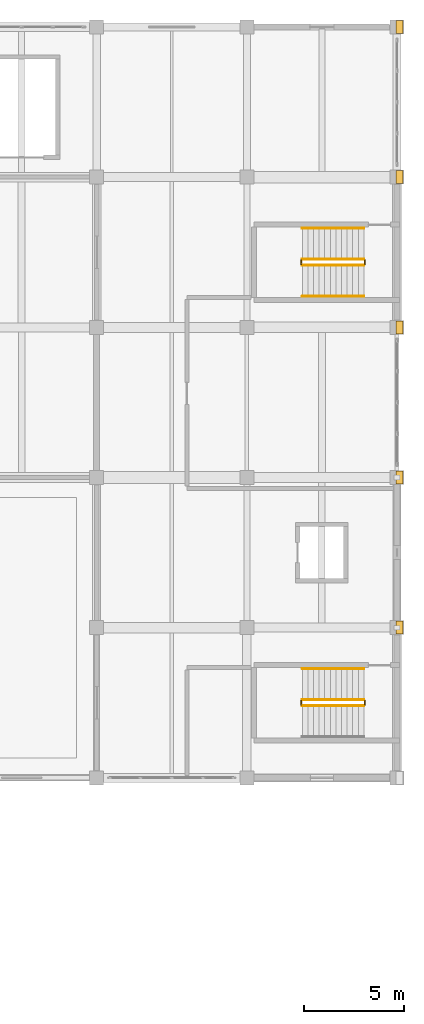
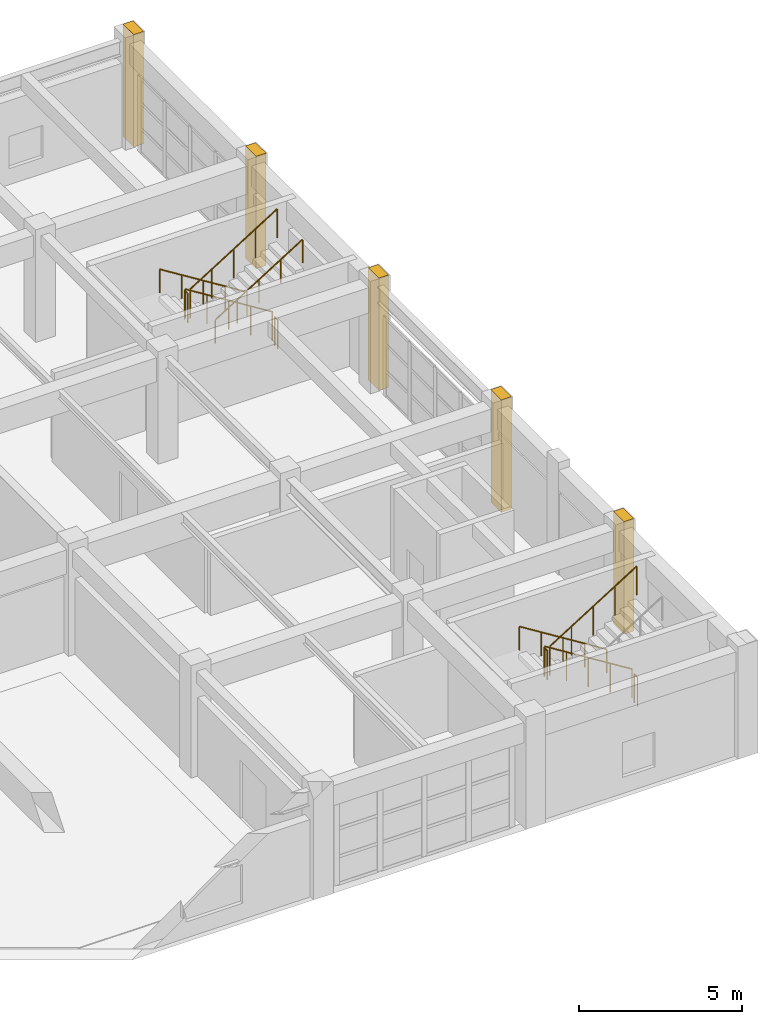
# One storey, part 132 of 132: 11 railings, 5 coverings.
"""IFC4 building model written with IfcOpenShell, lengths in metres."""

from ifc_helpers import new_model, si_unit, direction, frame, origin, origin_2d, place, context, subcontext, project, spatial, rectangle, circle, extrude, material, layer, layer_set, type_object, element, save


model = new_model("IFC4")

# Units and contexts
model_context = context("Model", 3, precision=1e-05, world=origin(), true_north=direction((0.0, 1.0)))
body_context = subcontext(model_context, "Body", "Model", "MODEL_VIEW")
ifc_project = project(units=[si_unit("LENGTHUNIT", "METRE"), si_unit("AREAUNIT", "SQUARE_METRE"), si_unit("VOLUMEUNIT", "CUBIC_METRE"), si_unit("PLANEANGLEUNIT", "RADIAN"), si_unit("MASSUNIT", "GRAM", prefix="KILO")], contexts=[model_context])

# Site, building, storey
site_placement = place(None, origin())
site = spatial("IfcSite", under=ifc_project, at=site_placement, CompositionType="ELEMENT")
building_placement = place(site_placement, origin())
building = spatial("IfcBuilding", under=site, at=building_placement, Name="Qasida Concert Hall", CompositionType="ELEMENT")
storey_placement = place(building_placement, frame((0.0, 0.0, 4.800048828125)))
storey = spatial("IfcBuildingStorey", under=building, at=storey_placement, Name="L01", CompositionType="ELEMENT", Elevation=4.800048828125)

# Coverings
ifc_material_1 = material(Name="Projecting fluted Lebanese limestone Art Deco pilaster", Category="masonry")
ifc_layer_1 = layer(ifc_material_1, 0.35009765625, Name="Projecting fluted Lebanese limestone Art Deco pilaster")
ifc_layer_set_1 = layer_set([ifc_layer_1], Name="Projecting fluted Lebanese limestone Art Deco pilaster")
covering_type = type_object("IfcCoveringType", Name="CV-PIL-650", PredefinedType="CLADDING", material=ifc_layer_set_1)
for number, where, z_axis, x_axis, name in (
    (1, (165.135009765625, 82.5, 0.0), (0.0, 0.0, 1.0), (1.0, 0.0, 0.0), "L01 fluted limestone pilaster 0241"),
    (2, (165.135009765625, 90.0, 0.0), (0.0, 0.0, 1.0), (1.0, 0.0, 0.0), "L01 fluted limestone pilaster 0246"),
    (3, (165.135009765625, 97.5, 0.0), (0.0, 0.0, 1.0), (1.0, 0.0, 0.0), "L01 fluted limestone pilaster 0251"),
    (4, (165.135009765625, 105.0, 0.0), (0.0, 0.0, 1.0), (1.0, 0.0, 0.0), "L01 fluted limestone pilaster 0256"),
    (5, (165.135009765625, 112.5, 0.0), (0.0, 0.0, 1.0), (1.0, 0.0, 0.0), "L01 fluted limestone pilaster 0261"),
):
    element("IfcCovering", number, at=place(storey_placement, frame(where, z_axis=z_axis, x_axis=x_axis)), inside=storey, type_object=covering_type, Name=name, PredefinedType="CLADDING", context=body_context, shape_type="SweptSolid", body=[
        extrude(rectangle(XDim=0.35009765625, YDim=0.64990234375, at=origin_2d()), origin(), (0.0, 0.0, 1.0), 4.199951171875),
    ])

# Railings
ifc_material_2 = material(Name="Patinated architectural bronze and laminated glass infill", Category="glass")
ifc_layer_2 = layer(ifc_material_2, 0.080078125, Name="Patinated architectural bronze and laminated glass infill")
ifc_layer_set_2 = layer_set([ifc_layer_2], Name="Patinated architectural bronze and laminated glass infill")
railing_type_1 = type_object("IfcRailingType", Name="RL-GRD-1100", PredefinedType="GUARDRAIL", material=ifc_layer_set_2)
railing_1_placement = place(storey_placement, frame((163.35009765625, 78.89990234375, 0.175048828125)))
element("IfcRailing", 6, at=railing_1_placement, inside=storey, type_object=railing_type_1, Name="L01 ST-07 stair guard 1", PredefinedType="GUARDRAIL", context=body_context, shape_type="SweptSolid", body=[
    extrude(circle(Radius=0.02392578125, at=origin_2d()), frame((0.0, 0.0, 1.076171875), z_axis=(-0.848028513186, 0.0, 0.529950602248), x_axis=(0.0, -1.0, 0.0)), (0.0, 0.0, 1.0), 3.632080078125),
    extrude(circle(Radius=0.02099609375, at=origin_2d()), origin(), (0.0, 0.0, 1.0), 1.052001953125),
    extrude(circle(Radius=0.02099609375, at=origin_2d()), frame((-0.77001953125, 0.0, 0.481201171875)), (0.0, 0.0, 1.0), 1.052001953125),
    extrude(circle(Radius=0.02099609375, at=origin_2d()), frame((-1.5400390625, 0.0, 0.96240234375)), (0.0, 0.0, 1.0), 1.052001953125),
    extrude(circle(Radius=0.02099609375, at=origin_2d()), frame((-2.31005859375, 0.0, 1.443603515625)), (0.0, 0.0, 1.0), 1.052001953125),
    extrude(circle(Radius=0.02099609375, at=origin_2d()), frame((-3.080078125, 0.0, 1.9248046875)), (0.0, 0.0, 1.0), 1.052001953125),
])
railing_2_placement = place(storey_placement, frame((160.219970703125, 78.85009765625, 2.099853515625)))
element("IfcRailing", 7, at=railing_2_placement, inside=storey, type_object=railing_type_1, Name="L01 ST-07 stair guard 2", PredefinedType="GUARDRAIL", context=body_context, shape_type="SweptSolid", body=[
    extrude(circle(Radius=0.02392578125, at=origin_2d()), frame((0.0, 0.0, 1.076171875), z_axis=(0.0, -1.0, 0.0), x_axis=(1.0, 0.0, 0.0)), (0.0, 0.0, 1.0), 0.2001953125),
    extrude(circle(Radius=0.02099609375, at=origin_2d()), origin(), (0.0, 0.0, 1.0), 1.052001953125),
    extrude(circle(Radius=0.02099609375, at=origin_2d()), frame((0.0, -0.2001953125, 0.0)), (0.0, 0.0, 1.0), 1.052001953125),
])
railing_3_placement = place(storey_placement, frame((160.27001953125, 78.60009765625, 2.27490234375)))
element("IfcRailing", 8, at=railing_3_placement, inside=storey, type_object=railing_type_1, Name="L01 ST-07 stair guard 3", PredefinedType="GUARDRAIL", context=body_context, shape_type="SweptSolid", body=[
    extrude(circle(Radius=0.02392578125, at=origin_2d()), frame((0.0, 0.0, 1.076171875), z_axis=(0.847998304005, 0.0, 0.529998940003), x_axis=(0.0, 1.0, 0.0)), (0.0, 0.0, 1.0), 3.632080078125),
    extrude(circle(Radius=0.02099609375, at=origin_2d()), origin(), (0.0, 0.0, 1.0), 1.052001953125),
    extrude(circle(Radius=0.02099609375, at=origin_2d()), frame((0.77001953125, 0.0, 0.481201171875)), (0.0, 0.0, 1.0), 1.052001953125),
    extrude(circle(Radius=0.02099609375, at=origin_2d()), frame((1.5400390625, 0.0, 0.96240234375)), (0.0, 0.0, 1.0), 1.052001953125),
    extrude(circle(Radius=0.02099609375, at=origin_2d()), frame((2.31005859375, 0.0, 1.44384765625)), (0.0, 0.0, 1.0), 1.052001953125),
    extrude(circle(Radius=0.02099609375, at=origin_2d()), frame((3.080078125, 0.0, 1.925048828125)), (0.0, 0.0, 1.0), 1.052001953125),
])
railing_4_placement = place(storey_placement, frame((163.39990234375, 78.85009765625, 0.0)))
element("IfcRailing", 9, at=railing_4_placement, inside=storey, type_object=railing_type_1, Name="L01 ST-07 stair guard 4", PredefinedType="GUARDRAIL", context=body_context, shape_type="SweptSolid", body=[
    extrude(circle(Radius=0.02392578125, at=origin_2d()), frame((0.0, 0.0, 1.076171875), z_axis=(0.0, -1.0, 0.0), x_axis=(1.0, 0.0, 0.0)), (0.0, 0.0, 1.0), 0.2001953125),
    extrude(circle(Radius=0.02099609375, at=origin_2d()), origin(), (0.0, 0.0, 1.0), 1.052001953125),
    extrude(circle(Radius=0.02099609375, at=origin_2d()), frame((0.0, -0.2001953125, 0.0)), (0.0, 0.0, 1.0), 1.052001953125),
])
railing_5_placement = place(storey_placement, frame((163.35009765625, 100.89990234375, 0.175048828125)))
element("IfcRailing", 10, at=railing_5_placement, inside=storey, type_object=railing_type_1, Name="L01 ST-08 stair guard 1", PredefinedType="GUARDRAIL", context=body_context, shape_type="SweptSolid", body=[
    extrude(circle(Radius=0.02392578125, at=origin_2d()), frame((0.0, 0.0, 1.076171875), z_axis=(-0.848028513186, 0.0, 0.529950602248), x_axis=(0.0, -1.0, 0.0)), (0.0, 0.0, 1.0), 3.632080078125),
    extrude(circle(Radius=0.02099609375, at=origin_2d()), origin(), (0.0, 0.0, 1.0), 1.052001953125),
    extrude(circle(Radius=0.02099609375, at=origin_2d()), frame((-0.77001953125, 0.0, 0.481201171875)), (0.0, 0.0, 1.0), 1.052001953125),
    extrude(circle(Radius=0.02099609375, at=origin_2d()), frame((-1.5400390625, 0.0, 0.96240234375)), (0.0, 0.0, 1.0), 1.052001953125),
    extrude(circle(Radius=0.02099609375, at=origin_2d()), frame((-2.31005859375, 0.0, 1.443603515625)), (0.0, 0.0, 1.0), 1.052001953125),
    extrude(circle(Radius=0.02099609375, at=origin_2d()), frame((-3.080078125, 0.0, 1.9248046875)), (0.0, 0.0, 1.0), 1.052001953125),
])
railing_6_placement = place(storey_placement, frame((160.219970703125, 100.85009765625, 2.099853515625)))
element("IfcRailing", 11, at=railing_6_placement, inside=storey, type_object=railing_type_1, Name="L01 ST-08 stair guard 2", PredefinedType="GUARDRAIL", context=body_context, shape_type="SweptSolid", body=[
    extrude(circle(Radius=0.02392578125, at=origin_2d()), frame((0.0, 0.0, 1.076171875), z_axis=(0.0, -1.0, 0.0), x_axis=(1.0, 0.0, 0.0)), (0.0, 0.0, 1.0), 0.2001953125),
    extrude(circle(Radius=0.02099609375, at=origin_2d()), origin(), (0.0, 0.0, 1.0), 1.052001953125),
    extrude(circle(Radius=0.02099609375, at=origin_2d()), frame((0.0, -0.2001953125, 0.0)), (0.0, 0.0, 1.0), 1.052001953125),
])
railing_7_placement = place(storey_placement, frame((160.27001953125, 100.60009765625, 2.27490234375)))
element("IfcRailing", 12, at=railing_7_placement, inside=storey, type_object=railing_type_1, Name="L01 ST-08 stair guard 3", PredefinedType="GUARDRAIL", context=body_context, shape_type="SweptSolid", body=[
    extrude(circle(Radius=0.02392578125, at=origin_2d()), frame((0.0, 0.0, 1.076171875), z_axis=(0.847998304005, 0.0, 0.529998940003), x_axis=(0.0, 1.0, 0.0)), (0.0, 0.0, 1.0), 3.632080078125),
    extrude(circle(Radius=0.02099609375, at=origin_2d()), origin(), (0.0, 0.0, 1.0), 1.052001953125),
    extrude(circle(Radius=0.02099609375, at=origin_2d()), frame((0.77001953125, 0.0, 0.481201171875)), (0.0, 0.0, 1.0), 1.052001953125),
    extrude(circle(Radius=0.02099609375, at=origin_2d()), frame((1.5400390625, 0.0, 0.96240234375)), (0.0, 0.0, 1.0), 1.052001953125),
    extrude(circle(Radius=0.02099609375, at=origin_2d()), frame((2.31005859375, 0.0, 1.44384765625)), (0.0, 0.0, 1.0), 1.052001953125),
    extrude(circle(Radius=0.02099609375, at=origin_2d()), frame((3.080078125, 0.0, 1.925048828125)), (0.0, 0.0, 1.0), 1.052001953125),
])
railing_8_placement = place(storey_placement, frame((163.39990234375, 100.85009765625, 0.0)))
element("IfcRailing", 13, at=railing_8_placement, inside=storey, type_object=railing_type_1, Name="L01 ST-08 stair guard 4", PredefinedType="GUARDRAIL", context=body_context, shape_type="SweptSolid", body=[
    extrude(circle(Radius=0.02392578125, at=origin_2d()), frame((0.0, 0.0, 1.076171875), z_axis=(0.0, -1.0, 0.0), x_axis=(1.0, 0.0, 0.0)), (0.0, 0.0, 1.0), 0.2001953125),
    extrude(circle(Radius=0.02099609375, at=origin_2d()), origin(), (0.0, 0.0, 1.0), 1.052001953125),
    extrude(circle(Radius=0.02099609375, at=origin_2d()), frame((0.0, -0.2001953125, 0.0)), (0.0, 0.0, 1.0), 1.052001953125),
])
ifc_material_3 = material(Name="Patinated tubular architectural bronze", Category="steel")
ifc_layer_3 = layer(ifc_material_3, 0.050048828125, Name="Patinated tubular architectural bronze")
ifc_layer_set_3 = layer_set([ifc_layer_3], Name="Patinated tubular architectural bronze")
railing_type_2 = type_object("IfcRailingType", Name="RL-HND-900", PredefinedType="HANDRAIL", material=ifc_layer_set_3)
for number, where, name in (
    (14, (163.35009765625, 80.449951171875, 0.175048828125), "L01 ST-07 stair handrail 1"),
    (15, (163.35009765625, 102.449951171875, 0.175048828125), "L01 ST-08 stair handrail 1"),
):
    element("IfcRailing", number, at=place(storey_placement, frame(where)), inside=storey, type_object=railing_type_2, Name=name, PredefinedType="HANDRAIL", context=body_context, shape_type="SweptSolid", body=[
        extrude(circle(Radius=0.02392578125, at=origin_2d()), frame((0.0, 0.0, 0.8759765625), z_axis=(-0.848028513186, 0.0, 0.529950602248), x_axis=(0.0, -1.0, 0.0)), (0.0, 0.0, 1.0), 3.632080078125),
        extrude(circle(Radius=0.02099609375, at=origin_2d()), origin(), (0.0, 0.0, 1.0), 0.851806640625),
        extrude(circle(Radius=0.02099609375, at=origin_2d()), frame((-0.77001953125, 0.0, 0.481201171875)), (0.0, 0.0, 1.0), 0.851806640625),
        extrude(circle(Radius=0.02099609375, at=origin_2d()), frame((-1.5400390625, 0.0, 0.96240234375)), (0.0, 0.0, 1.0), 0.851806640625),
        extrude(circle(Radius=0.02099609375, at=origin_2d()), frame((-2.31005859375, 0.0, 1.443603515625)), (0.0, 0.0, 1.0), 0.851806640625),
        extrude(circle(Radius=0.02099609375, at=origin_2d()), frame((-3.080078125, 0.0, 1.9248046875)), (0.0, 0.0, 1.0), 0.851806640625),
    ])
railing_9_placement = place(storey_placement, frame((160.27001953125, 99.050048828125, 2.27490234375)))
element("IfcRailing", 16, at=railing_9_placement, inside=storey, type_object=railing_type_2, Name="L01 ST-08 stair handrail 2", PredefinedType="HANDRAIL", context=body_context, shape_type="SweptSolid", body=[
    extrude(circle(Radius=0.02392578125, at=origin_2d()), frame((0.0, 0.0, 0.8759765625), z_axis=(0.847998304005, 0.0, 0.529998940003), x_axis=(0.0, 1.0, 0.0)), (0.0, 0.0, 1.0), 3.632080078125),
    extrude(circle(Radius=0.02099609375, at=origin_2d()), origin(), (0.0, 0.0, 1.0), 0.851806640625),
    extrude(circle(Radius=0.02099609375, at=origin_2d()), frame((0.77001953125, 0.0, 0.481201171875)), (0.0, 0.0, 1.0), 0.851806640625),
    extrude(circle(Radius=0.02099609375, at=origin_2d()), frame((1.5400390625, 0.0, 0.96240234375)), (0.0, 0.0, 1.0), 0.851806640625),
    extrude(circle(Radius=0.02099609375, at=origin_2d()), frame((2.31005859375, 0.0, 1.44384765625)), (0.0, 0.0, 1.0), 0.851806640625),
    extrude(circle(Radius=0.02099609375, at=origin_2d()), frame((3.080078125, 0.0, 1.925048828125)), (0.0, 0.0, 1.0), 0.851806640625),
])

save(model, "model.ifc")
